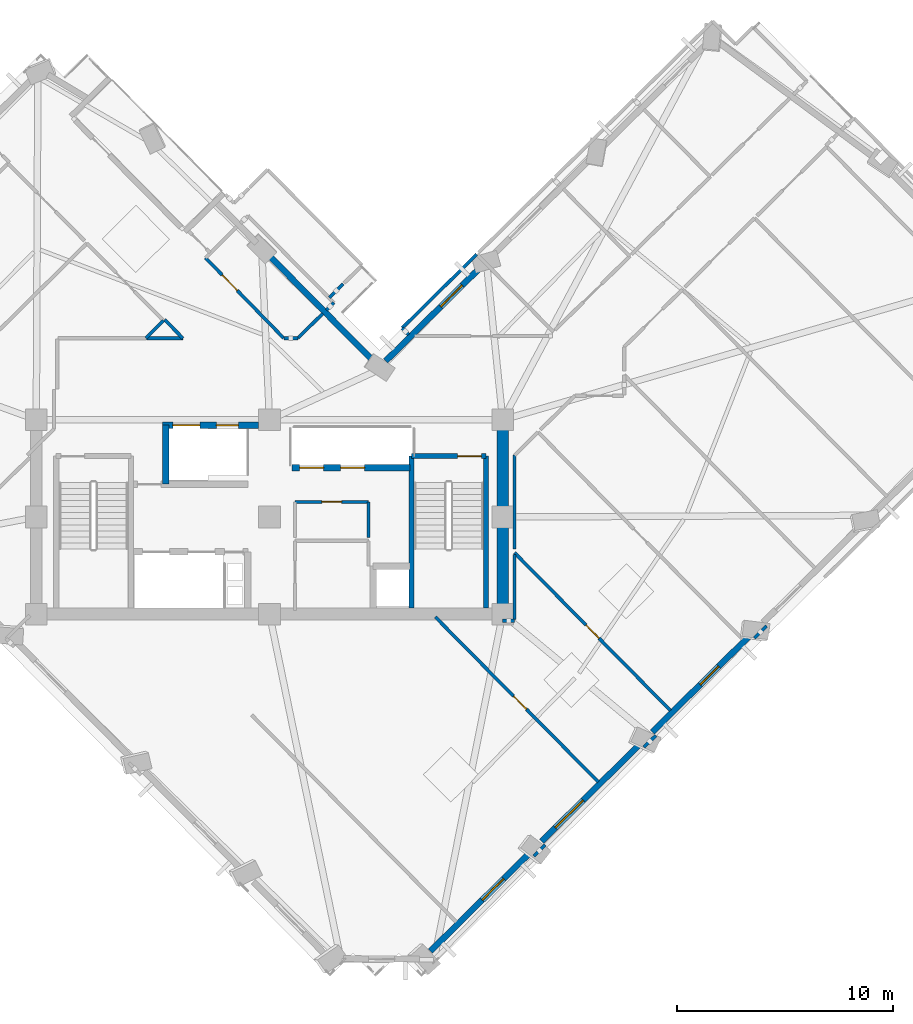
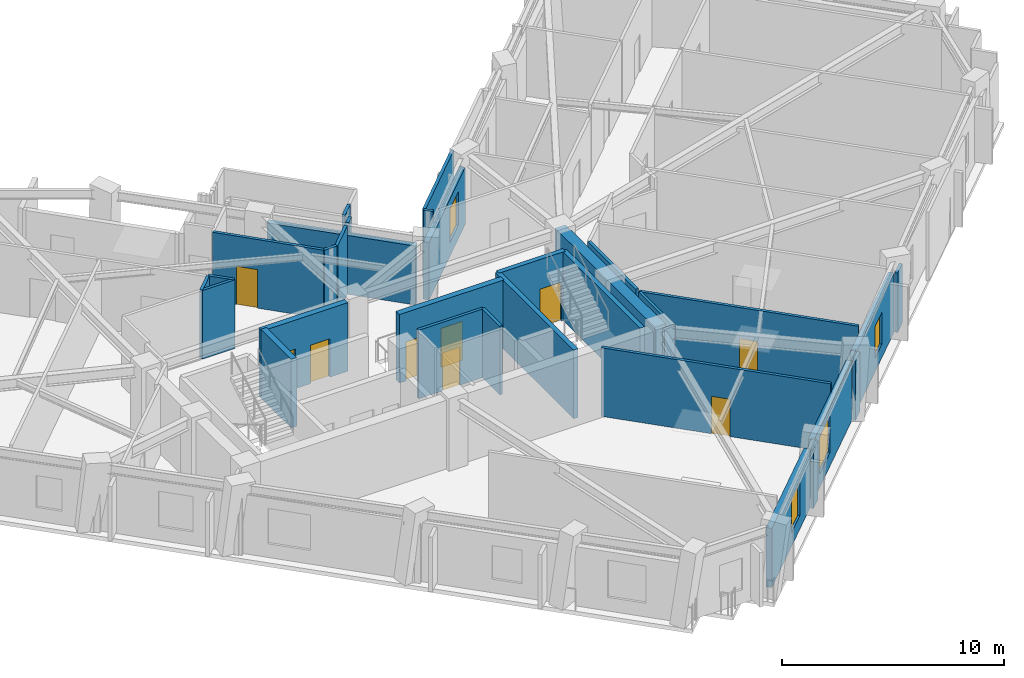
# One storey, part 5 of 11: 32 walls, 9 doors, 4 windows, 13 openings.
"""IFC4 building model written with IfcOpenShell, lengths in metres."""

import ifcopenshell
import ifcopenshell.guid

model = None  # the IFC model being written
_history = None  # IfcOwnerHistory: only IFC2X3 demands one
_inside = {}  # id of a spatial element -> (the spatial element, [elements in it])
_under = {}  # id of a project, library or spatial element -> (it, [spatial elements below it])
_declared = {}  # id of a project -> (the project, [libraries it declares])
_typed = {}  # id of a type object -> (the type object, [elements of that type])
_made_of = {}  # id of a material, layer set ... -> (it, [elements and type objects made of it])


def new_model(schema):
    """Start an empty IFC model of exactly this schema.

    Asked for "IFC4X3", IfcOpenShell would pick the latest addendum, in which some entities
    have other attributes; the version numbers below select the first issue.
    IFC2X3 requires an IfcOwnerHistory on every rooted entity: one is made here for all.
    """
    global model, _history
    if schema == "IFC4X3":
        model = ifcopenshell.file(schema_version=(4, 3, 0, 0))
    else:
        model = ifcopenshell.file(schema=schema)
    _inside.clear()
    _under.clear()
    _declared.clear()
    _typed.clear()
    _made_of.clear()
    _history = None
    if model.schema == "IFC2X3":
        org = make("IfcOrganization", Name="unknown")
        user = make(
            "IfcPersonAndOrganization",
            ThePerson=make("IfcPerson", FamilyName="unknown"),
            TheOrganization=org,
        )
        app = make(
            "IfcApplication",
            ApplicationDeveloper=org,
            Version="unknown",
            ApplicationFullName="unknown",
            ApplicationIdentifier="unknown",
        )
        _history = make(
            "IfcOwnerHistory",
            OwningUser=user,
            OwningApplication=app,
            ChangeAction="ADDED",
            CreationDate=0,
        )
    return model


def make(cls, **values):
    """One entity of the class cls with the attributes given. An attribute that is None is left unset."""
    return model.create_entity(
        cls, **{name: value for name, value in values.items() if value is not None}
    )


def rooted(cls, **values):
    """An entity with a GlobalId (a new one), such as an element, a storey or a relation."""
    return make(cls, GlobalId=ifcopenshell.guid.new(), OwnerHistory=_history, **values)


def si_unit(unit_type, name, prefix=None):
    """IfcSIUnit, for example si_unit("LENGTHUNIT", "METRE", prefix="MILLI")."""
    return make("IfcSIUnit", UnitType=unit_type, Prefix=prefix, Name=name)


def assignment(units):
    """IfcUnitAssignment: the units of a project."""
    return None if units is None else make("IfcUnitAssignment", Units=units)


def point(xyz):
    """IfcCartesianPoint."""
    return None if xyz is None else make("IfcCartesianPoint", Coordinates=xyz)


def direction(xyz):
    """IfcDirection."""
    return None if xyz is None else make("IfcDirection", DirectionRatios=xyz)


def frame(location, z_axis=None, x_axis=None):
    """IfcAxis2Placement3D, a coordinate frame: its origin and axes. An axis left out is left unset."""
    return make(
        "IfcAxis2Placement3D",
        Location=point(location),
        Axis=direction(z_axis),
        RefDirection=direction(x_axis),
    )


def frame_2d(location, x_axis=None):
    """IfcAxis2Placement2D, a coordinate frame in the plane: its origin and x axis."""
    return make(
        "IfcAxis2Placement2D", Location=point(location), RefDirection=direction(x_axis)
    )


def origin():
    """The frame at (0, 0, 0) with its axes left unset."""
    return frame((0.0, 0.0, 0.0))


def place(relative_to, where):
    """IfcLocalPlacement: puts the frame where relative to a parent placement (None: the world)."""
    return make(
        "IfcLocalPlacement", PlacementRelTo=relative_to, RelativePlacement=where
    )


def context(
    kind, dimensions, precision=None, world=None, true_north=None, identifier=None
):
    """IfcGeometricRepresentationContext, for example the 3D "Model" context."""
    return make(
        "IfcGeometricRepresentationContext",
        ContextIdentifier=identifier,
        ContextType=kind,
        CoordinateSpaceDimension=dimensions,
        Precision=precision,
        WorldCoordinateSystem=world,
        TrueNorth=true_north,
    )


def subcontext(parent, identifier, kind, view, scale=None):
    """IfcGeometricRepresentationSubContext, for example "Body" below "Model"."""
    return make(
        "IfcGeometricRepresentationSubContext",
        ContextIdentifier=identifier,
        ContextType=kind,
        ParentContext=parent,
        TargetScale=scale,
        TargetView=view,
    )


def project(units=None, contexts=None):
    """IfcProject with its units and contexts."""
    return rooted(
        "IfcProject",
        Name="project",
        RepresentationContexts=contexts,
        UnitsInContext=assignment(units),
    )


def spatial(cls, under=None, at=None, **own):
    """A site, building, storey or space (cls), placed at a placement, below another one or the project."""
    s = rooted(cls, ObjectPlacement=at, **own)
    if under is not None:
        _under.setdefault(under.id(), (under, []))[1].append(s)
    return s


def profile(cls, at=None, kind="AREA", **sizes):
    """A parametric profile (cls). Its sizes go by their IFC names, for example OverallWidth=200.0."""
    return make(cls, ProfileType=kind, Position=at, **sizes)


def rectangle(**sizes):
    """IfcRectangleProfileDef."""
    return profile("IfcRectangleProfileDef", **sizes)


def extrude(swept, where, along, depth):
    """IfcExtrudedAreaSolid: the profile swept, set in the frame where, extruded along a direction by depth."""
    return make(
        "IfcExtrudedAreaSolid",
        SweptArea=swept,
        Position=where,
        ExtrudedDirection=direction(along),
        Depth=depth,
    )


def shape(context_of_items, identifier, shape_type, items):
    """IfcShapeRepresentation: the items that make up one representation, for example the "Body"."""
    return make(
        "IfcShapeRepresentation",
        ContextOfItems=context_of_items,
        RepresentationIdentifier=identifier,
        RepresentationType=shape_type,
        Items=items,
    )


def material(Name=None, Category=None):
    """IfcMaterial."""
    return make("IfcMaterial", Name=Name, Category=Category)


def layer(
    of_material, thickness, ventilated=None, Name=None, Category=None, Priority=None
):
    """IfcMaterialLayer: one layer of a wall or slab, of a material (None: an air gap)."""
    return make(
        "IfcMaterialLayer",
        Material=of_material,
        LayerThickness=thickness,
        IsVentilated=ventilated,
        Name=Name,
        Category=Category,
        Priority=Priority,
    )


def layer_set(layers, Name=None):
    """IfcMaterialLayerSet."""
    return make("IfcMaterialLayerSet", MaterialLayers=layers, LayerSetName=Name)


def made_of(thing, what):
    """Note that an element or type object is made of a material, layer set ...; save() writes the relation."""
    if what is not None:
        _made_of.setdefault(what.id(), (what, []))[1].append(thing)
    return thing


def type_object(cls, material=None, **own):
    """A type object (cls), such as IfcWallType, which elements share."""
    return made_of(rooted(cls, **own), material)


def element(
    cls,
    number,
    at=None,
    inside=None,
    cuts=None,
    type_object=None,
    material=None,
    context=None,
    identifier="Body",
    shape_type=None,
    held_by="IfcProductDefinitionShape",
    body=None,
    shapes=None,
    **own,
):
    """One element of the class cls, such as IfcWall. Its Tag is "e" and its number.

    at: its placement. inside: the storey or other place that contains it. cuts: it is an
    opening in that element (IfcRelVoidsElement). A single representation is given by context,
    identifier, shape_type and body (its items); several are given by shapes. held_by: the class
    of the entity that holds the representations. save() writes the other relations.
    """
    e = rooted(cls, Tag="e%d" % number, ObjectPlacement=at, **own)
    if body is not None:
        shapes = [shape(context, identifier, shape_type, body)]
    if shapes is not None:
        e.Representation = make(held_by, Representations=shapes)
    if inside is not None:
        _inside.setdefault(inside.id(), (inside, []))[1].append(e)
    if cuts is not None:
        rooted(
            "IfcRelVoidsElement", RelatingBuildingElement=cuts, RelatedOpeningElement=e
        )
    if type_object is not None:
        _typed.setdefault(type_object.id(), (type_object, []))[1].append(e)
    return made_of(e, material)


def fill(opening, filler):
    """IfcRelFillsElement: the door or window that sits in an opening."""
    return rooted(
        "IfcRelFillsElement",
        RelatingOpeningElement=opening,
        RelatedBuildingElement=filler,
    )


def aggregate(whole, parts):
    """IfcRelAggregates: a whole, such as a stair, and the parts it consists of."""
    return rooted("IfcRelAggregates", RelatingObject=whole, RelatedObjects=parts)


def save(model, path):
    """Write the relations noted so far, then the file.

    IfcRelAggregates (storeys below a building ...), IfcRelContainedInSpatialStructure (elements
    in a storey), IfcRelDefinesByType, IfcRelAssociatesMaterial and IfcRelDeclares: one each for
    every whole, place, type object, material and project.
    """
    for whole, parts in _under.values():
        aggregate(whole, parts)
    for where, things in _inside.values():
        rooted(
            "IfcRelContainedInSpatialStructure",
            RelatedElements=things,
            RelatingStructure=where,
        )
    for kind, things in _typed.values():
        rooted("IfcRelDefinesByType", RelatedObjects=things, RelatingType=kind)
    for what, things in _made_of.values():
        rooted("IfcRelAssociatesMaterial", RelatedObjects=things, RelatingMaterial=what)
    for by, libraries in _declared.values():
        rooted("IfcRelDeclares", RelatingContext=by, RelatedDefinitions=libraries)
    model.write(path)


model = new_model("IFC4")

# Units and contexts
model_context = context("Model", 3, precision=1e-05, world=origin(), true_north=direction((0.0, 1.0)))
body_context = subcontext(model_context, "Body", "Model", "MODEL_VIEW")
ifc_project = project(units=[si_unit("LENGTHUNIT", "METRE"), si_unit("AREAUNIT", "SQUARE_METRE"), si_unit("VOLUMEUNIT", "CUBIC_METRE"), si_unit("PLANEANGLEUNIT", "RADIAN"), si_unit("MASSUNIT", "GRAM", prefix="KILO")], contexts=[model_context])

# Site, building, storey
site_placement = place(None, origin())
site = spatial("IfcSite", under=ifc_project, at=site_placement, CompositionType="ELEMENT")
building_placement = place(site_placement, origin())
building = spatial("IfcBuilding", under=site, at=building_placement, Name="Gaonmaruhae Medical Tower", CompositionType="ELEMENT")
storey_placement = place(building_placement, frame((0.0, 0.0, 215.199951171875)))
storey = spatial("IfcBuildingStorey", under=building, at=storey_placement, Name="L51", CompositionType="ELEMENT", Elevation=215.199951171875)

# Wall
ifc_material_1 = material(Name="Concrete C50/60", Category="concrete")
ifc_layer_1 = layer(ifc_material_1, 0.550048828125)
ifc_layer_set_1 = layer_set([ifc_layer_1], Name="Concrete C50/60")
wall_type_1 = type_object("IfcWallType", Name="CW-550 Mid-High Core Shear Wall", PredefinedType="SHEAR", material=ifc_layer_set_1)
wall_1_placement = place(storey_placement, frame((35.60009765625, 7.800048828125, 0.0), z_axis=(0.0, 0.0, 1.0), x_axis=(0.0, 1.0, 0.0)))
element("IfcWall", 1, at=wall_1_placement, inside=storey, type_object=wall_type_1, Name="L51 Core Shear Wall CSW-E1", PredefinedType="SHEAR", context=body_context, shape_type="SweptSolid", body=[
    extrude(rectangle(XDim=9.0, YDim=0.550048828125, at=frame_2d((4.5, 0.0))), origin(), (0.0, 0.0, 1.0), 3.780029296875),
])

# Wall, opening, window
ifc_material_2 = material(Name="Precast concrete C45/55", Category="concrete")
ifc_layer_2 = layer(ifc_material_2, 0.280029296875)
ifc_layer_set_2 = layer_set([ifc_layer_2], Name="Precast concrete C45/55")
wall_type_2 = type_object("IfcWallType", Name="EW-280 Upper Precast Masonry-Frame Facade Wall", PredefinedType="SOLIDWALL", material=ifc_layer_set_2)
wall_2_placement = place(storey_placement, frame((36.8681640625, -3.247314453125, 0.0), z_axis=(0.0, 0.0, 1.0), x_axis=(-0.711404384369, -0.702782898127, 0.0)))
wall_2 = element("IfcWall", 2, at=wall_2_placement, inside=storey, type_object=wall_type_2, Name="L51 Precast Masonry-Frame Wall S01-S02", PredefinedType="SOLIDWALL", context=body_context, shape_type="SweptSolid", body=[
    extrude(rectangle(XDim=6.48486328125, YDim=0.280029296875, at=frame_2d((3.242431640625, 0.0))), origin(), (0.0, 0.0, 1.0), 3.26513671875),
])
opening_1_placement = place(wall_2_placement, frame((1.718994140625, 0.0, 0.75)))
opening_1 = element("IfcOpeningElement", 3, at=opening_1_placement, cuts=wall_2, Name="Opening WN-03", PredefinedType="OPENING", context=body_context, shape_type="SweptSolid", body=[
    extrude(rectangle(XDim=1.39990234375, YDim=1.85009765625, at=frame_2d((0.699951171875, 0.925048828125))), frame((0.0, 0.14990234375, 0.0), z_axis=(0.0, -1.0, 0.0), x_axis=(1.0, 0.0, 0.0)), (0.0, 0.0, 1.0), 0.300048828125),
])
ifc_material_3 = material(Name="Anodised aluminium and Low-E double glazing", Category="aluminium")
window_type_1 = type_object("IfcWindowType", Name="WN-03 Isolation Ward Punched Window 1400x1850", PartitioningType="SINGLE_PANEL", PredefinedType="WINDOW", material=ifc_material_3)
window_1_placement = place(opening_1_placement, origin())
window_1 = element("IfcWindow", 4, at=window_1_placement, inside=storey, type_object=window_type_1, Name="L51 Modular Facade Window S01", OverallHeight=1.85009765625, OverallWidth=1.39990234375, PartitioningType="SINGLE_PANEL", PredefinedType="WINDOW", context=body_context, shape_type="SweptSolid", body=[
    extrude(rectangle(XDim=1.39990234375, YDim=1.85009765625, at=frame_2d((0.699951171875, 0.925048828125))), frame((0.0, 0.030029296875, 0.0), z_axis=(0.0, -1.0, 0.0), x_axis=(1.0, 0.0, 0.0)), (0.0, 0.0, 1.0), 0.06005859375),
])
fill(opening_1, window_1)

wall_3_placement = place(storey_placement, frame((41.9775390625, 1.800048828125, 0.0), z_axis=(0.0, 0.0, 1.0), x_axis=(-0.711397255374, -0.702790114506, 0.0)))
wall_3 = element("IfcWall", 5, at=wall_3_placement, inside=storey, type_object=wall_type_2, Name="L51 Precast Masonry-Frame Wall S02-S03", PredefinedType="SOLIDWALL", context=body_context, shape_type="SweptSolid", body=[
    extrude(rectangle(XDim=6.438720703125, YDim=0.280029296875, at=frame_2d((3.21923828125, 0.0))), origin(), (0.0, 0.0, 1.0), 3.26513671875),
])
opening_2_placement = place(wall_3_placement, frame((3.732666015625, 0.0, 0.75)))
opening_2 = element("IfcOpeningElement", 6, at=opening_2_placement, cuts=wall_3, Name="Opening WN-04", PredefinedType="OPENING", context=body_context, shape_type="SweptSolid", body=[
    extrude(rectangle(XDim=1.800048828125, YDim=2.050048828125, at=frame_2d((0.89990234375, 1.02490234375))), frame((0.0, 0.14990234375, 0.0), z_axis=(0.0, -1.0, 0.0), x_axis=(1.0, 0.0, 0.0)), (0.0, 0.0, 1.0), 0.300048828125),
])
window_type_2 = type_object("IfcWindowType", Name="WN-04 Clinic & Consult Punched Window 1800x2050", PartitioningType="SINGLE_PANEL", PredefinedType="WINDOW", material=ifc_material_3)
window_2_placement = place(opening_2_placement, origin())
window_2 = element("IfcWindow", 7, at=window_2_placement, inside=storey, type_object=window_type_2, Name="L51 Modular Facade Window S02", OverallHeight=2.050048828125, OverallWidth=1.800048828125, PartitioningType="SINGLE_PANEL", PredefinedType="WINDOW", context=body_context, shape_type="SweptSolid", body=[
    extrude(rectangle(XDim=1.800048828125, YDim=2.050048828125, at=frame_2d((0.89990234375, 1.02490234375))), frame((0.0, 0.030029296875, 0.0), z_axis=(0.0, -1.0, 0.0), x_axis=(1.0, 0.0, 0.0)), (0.0, 0.0, 1.0), 0.06005859375),
])
fill(opening_2, window_2)

wall_4_placement = place(storey_placement, frame((47.09375, 6.85400390625, 0.0), z_axis=(0.0, 0.0, 1.0), x_axis=(-0.711433096034, -0.702753833051, 0.0)))
wall_4 = element("IfcWall", 8, at=wall_4_placement, inside=storey, type_object=wall_type_2, Name="L51 Precast Masonry-Frame Wall S03-S04", PredefinedType="SOLIDWALL", context=body_context, shape_type="SweptSolid", body=[
    extrude(rectangle(XDim=6.41357421875, YDim=0.280029296875, at=frame_2d((3.206787109375, 0.0))), origin(), (0.0, 0.0, 1.0), 3.26513671875),
])
opening_3_placement = place(wall_4_placement, frame((2.0927734375, 0.0, 0.75)))
opening_3 = element("IfcOpeningElement", 9, at=opening_3_placement, cuts=wall_4, Name="Opening WN-05", PredefinedType="OPENING", context=body_context, shape_type="SweptSolid", body=[
    extrude(rectangle(XDim=1.199951171875, YDim=1.75, at=frame_2d((0.60009765625, 0.875))), frame((0.0, 0.14990234375, 0.0), z_axis=(0.0, -1.0, 0.0), x_axis=(1.0, 0.0, 0.0)), (0.0, 0.0, 1.0), 0.300048828125),
])
window_type_3 = type_object("IfcWindowType", Name="WN-05 Support & Staff Punched Window 1200x1750", PartitioningType="SINGLE_PANEL", PredefinedType="WINDOW", material=ifc_material_3)
window_3_placement = place(opening_3_placement, origin())
window_3 = element("IfcWindow", 10, at=window_3_placement, inside=storey, type_object=window_type_3, Name="L51 Modular Facade Window S03", OverallHeight=1.75, OverallWidth=1.199951171875, PartitioningType="SINGLE_PANEL", PredefinedType="WINDOW", context=body_context, shape_type="SweptSolid", body=[
    extrude(rectangle(XDim=1.199951171875, YDim=1.75, at=frame_2d((0.60009765625, 0.875))), frame((0.0, 0.030029296875, 0.0), z_axis=(0.0, -1.0, 0.0), x_axis=(1.0, 0.0, 0.0)), (0.0, 0.0, 1.0), 0.06005859375),
])
fill(opening_3, window_3)

wall_5_placement = place(storey_placement, frame((30.177490234375, 19.521484375, 0.0), z_axis=(0.0, 0.0, 1.0), x_axis=(0.711415033641, 0.702772118051, 0.0)))
wall_5 = element("IfcWall", 11, at=wall_5_placement, inside=storey, type_object=wall_type_2, Name="L51 Precast Masonry-Frame Wall EN02-KN01", PredefinedType="SOLIDWALL", context=body_context, shape_type="SweptSolid", body=[
    extrude(rectangle(XDim=6.157958984375, YDim=0.280029296875, at=frame_2d((3.0791015625, 0.0))), origin(), (0.0, 0.0, 1.0), 3.1650390625),
])
opening_4_placement = place(wall_5_placement, frame((3.586669921875, 0.0, 0.75)))
opening_4 = element("IfcOpeningElement", 12, at=opening_4_placement, cuts=wall_5, Name="Opening WN-03", PredefinedType="OPENING", context=body_context, shape_type="SweptSolid", body=[
    extrude(rectangle(XDim=1.39990234375, YDim=1.85009765625, at=frame_2d((0.699951171875, 0.925048828125))), frame((0.0, 0.14990234375, 0.0), z_axis=(0.0, -1.0, 0.0), x_axis=(1.0, 0.0, 0.0)), (0.0, 0.0, 1.0), 0.300048828125),
])
window_4_placement = place(opening_4_placement, origin())
window_4 = element("IfcWindow", 13, at=window_4_placement, inside=storey, type_object=window_type_1, Name="L51 Modular Facade Window EN02", OverallHeight=1.85009765625, OverallWidth=1.39990234375, PartitioningType="SINGLE_PANEL", PredefinedType="WINDOW", context=body_context, shape_type="SweptSolid", body=[
    extrude(rectangle(XDim=1.39990234375, YDim=1.85009765625, at=frame_2d((0.699951171875, 0.925048828125))), frame((0.0, 0.030029296875, 0.0), z_axis=(0.0, -1.0, 0.0), x_axis=(1.0, 0.0, 0.0)), (0.0, 0.0, 1.0), 0.06005859375),
])
fill(opening_4, window_4)

# Wall
wall_6_placement = place(storey_placement, frame((24.7578125, 24.4306640625, 0.0), z_axis=(0.0, 0.0, 1.0), x_axis=(0.702777784816, -0.711409435676, 0.0)))
element("IfcWall", 14, at=wall_6_placement, inside=storey, type_object=wall_type_2, Name="L51 Precast Masonry-Frame Wall KN01-NE01", PredefinedType="SOLIDWALL", context=body_context, shape_type="SweptSolid", body=[
    extrude(rectangle(XDim=6.9580078125, YDim=0.280029296875, at=frame_2d((3.47900390625, 0.0))), origin(), (0.0, 0.0, 1.0), 3.2451171875),
])

# Wall, opening, door
ifc_material_4 = material(Name="Gypsum board partition", Category="gypsum")
ifc_layer_3 = layer(ifc_material_4, 0.14990234375)
ifc_layer_set_3 = layer_set([ifc_layer_3], Name="Gypsum board partition")
wall_type_3 = type_object("IfcWallType", Name="PW-150 Rated Clinical Corridor Partition", PredefinedType="PARTITIONING", material=ifc_layer_set_3)
wall_7_placement = place(storey_placement, frame((25.97998046875, 13.0, 0.0), z_axis=(0.0, 0.0, 1.0), x_axis=(1.0, 0.0, 0.0)))
wall_7 = element("IfcWall", 15, at=wall_7_placement, inside=storey, type_object=wall_type_3, Name="L51 Interior Partition L51-CS1-5", PredefinedType="PARTITIONING", context=body_context, shape_type="SweptSolid", body=[
    extrude(rectangle(XDim=3.39990234375, YDim=0.14990234375, at=frame_2d((1.699951171875, 0.0))), origin(), (0.0, 0.0, 1.0), 3.780029296875),
])
opening_5_placement = place(wall_7_placement, frame((1.239990234375, 0.0, 0.0)))
opening_5 = element("IfcOpeningElement", 16, at=opening_5_placement, cuts=wall_7, Name="Opening UD-01", PredefinedType="OPENING", context=body_context, shape_type="SweptSolid", body=[
    extrude(rectangle(XDim=0.919921875, YDim=2.10009765625, at=frame_2d((0.4599609375, 1.050048828125))), frame((0.0, 0.0849609375, 0.0), z_axis=(0.0, -1.0, 0.0), x_axis=(1.0, 0.0, 0.0)), (0.0, 0.0, 1.0), 0.169921875),
])
ifc_material_5 = material(Name="Powder-coated steel utility door", Category="steel")
door_type_1 = type_object("IfcDoorType", Name="UD-01 Toilet, Utility & Housekeeping Door 920x2100", OperationType="NOTDEFINED", PredefinedType="DOOR", material=ifc_material_5)
door_1_placement = place(opening_5_placement, origin())
door_1 = element("IfcDoor", 17, at=door_1_placement, inside=storey, type_object=door_type_1, Name="L51 Accessible Staff Toilet Door", OperationType="SINGLE_SWING_LEFT", OverallHeight=2.10009765625, OverallWidth=0.919921875, PredefinedType="DOOR", context=body_context, shape_type="SweptSolid", body=[
    extrude(rectangle(XDim=0.919921875, YDim=2.10009765625, at=frame_2d((0.4599609375, 1.050048828125))), frame((0.0, 0.02490234375, 0.0), z_axis=(0.0, -1.0, 0.0), x_axis=(1.0, 0.0, 0.0)), (0.0, 0.0, 1.0), 0.050048828125),
])
fill(opening_5, door_1)

# Walls
wall_8_placement = place(storey_placement, frame((29.3798828125, 13.0, 0.0), z_axis=(0.0, 0.0, 1.0), x_axis=(0.0, -1.0, 0.0)))
element("IfcWall", 18, at=wall_8_placement, inside=storey, type_object=wall_type_3, Name="L51 Interior Partition L51-CS1-6", PredefinedType="PARTITIONING", context=body_context, shape_type="SweptSolid", body=[
    extrude(rectangle(XDim=1.639892578125, YDim=0.14990234375, at=frame_2d((0.81982421875, 0.0))), origin(), (0.0, 0.0, 1.0), 3.780029296875),
])
wall_9_placement = place(storey_placement, frame((37.55908203125, -2.888916015625, 0.0), z_axis=(0.0, 0.0, 1.0), x_axis=(-0.711760834556, -0.702421892022, 0.0)))
element("IfcWall", 19, at=wall_9_placement, inside=storey, type_object=wall_type_3, Name="L51 Interior Partition L51-SUP03-10", PredefinedType="PARTITIONING", context=body_context, shape_type="SweptSolid", body=[
    extrude(rectangle(XDim=0.73193359375, YDim=0.14990234375, at=frame_2d((0.365966796875, 0.0))), origin(), (0.0, 0.0, 1.0), 3.26513671875),
])

# Wall, opening, door
wall_10_placement = place(storey_placement, frame((32.47509765625, 7.675048828125, 0.0), z_axis=(0.0, 0.0, 1.0), x_axis=(0.702752952964, -0.711433965383, 0.0)))
wall_10 = element("IfcWall", 20, at=wall_10_placement, inside=storey, type_object=wall_type_3, Name="L51 Interior Partition L51-SUP03-12", PredefinedType="PARTITIONING", context=body_context, shape_type="SweptSolid", body=[
    extrude(rectangle(XDim=10.7431640625, YDim=0.14990234375, at=frame_2d((5.37158203125, 0.0))), origin(), (0.0, 0.0, 1.0), 3.780029296875),
])
opening_6_placement = place(wall_10_placement, frame((5.160400390625, 0.0, 0.0)))
opening_6 = element("IfcOpeningElement", 21, at=opening_6_placement, cuts=wall_10, Name="Opening AD-01", PredefinedType="OPENING", context=body_context, shape_type="SweptSolid", body=[
    extrude(rectangle(XDim=0.860107421875, YDim=2.06005859375, at=frame_2d((0.43017578125, 1.030029296875))), frame((0.0, 0.0849609375, 0.0), z_axis=(0.0, -1.0, 0.0), x_axis=(1.0, 0.0, 0.0)), (0.0, 0.0, 1.0), 0.169921875),
])
ifc_material_6 = material(Name="Powder-coated steel access door", Category="steel")
door_type_2 = type_object("IfcDoorType", Name="AD-01 Riser & Closet Access Fire Door 860x2060", OperationType="NOTDEFINED", PredefinedType="DOOR", material=ifc_material_6)
door_2_placement = place(opening_6_placement, origin())
door_2 = element("IfcDoor", 22, at=door_2_placement, inside=storey, type_object=door_type_2, Name="L51 Clinical Biomedical Charting Office Sliding Door", OperationType="SLIDING_TO_LEFT", OverallHeight=2.06005859375, OverallWidth=0.860107421875, PredefinedType="DOOR", context=body_context, shape_type="SweptSolid", body=[
    extrude(rectangle(XDim=0.860107421875, YDim=2.06005859375, at=frame_2d((0.43017578125, 1.030029296875))), frame((0.0, 0.02490234375, 0.0), z_axis=(0.0, -1.0, 0.0), x_axis=(1.0, 0.0, 0.0)), (0.0, 0.0, 1.0), 0.050048828125),
])
fill(opening_6, door_2)

wall_11_placement = place(storey_placement, frame((36.14990234375, 10.64306640625, 0.0), z_axis=(0.0, 0.0, 1.0), x_axis=(0.702755477797, -0.71143147135, 0.0)))
wall_11 = element("IfcWall", 23, at=wall_11_placement, inside=storey, type_object=wall_type_3, Name="L51 Interior Partition L51-SUP04-13", PredefinedType="PARTITIONING", context=body_context, shape_type="SweptSolid", body=[
    extrude(rectangle(XDim=10.27099609375, YDim=0.14990234375, at=frame_2d((5.135498046875, 0.0))), origin(), (0.0, 0.0, 1.0), 3.780029296875),
])
opening_7_placement = place(wall_11_placement, frame((4.70556640625, 0.0, 0.0)))
opening_7 = element("IfcOpeningElement", 24, at=opening_7_placement, cuts=wall_11, Name="Opening AD-01", PredefinedType="OPENING", context=body_context, shape_type="SweptSolid", body=[
    extrude(rectangle(XDim=0.860107421875, YDim=2.06005859375, at=frame_2d((0.43017578125, 1.030029296875))), frame((0.0, 0.0849609375, 0.0), z_axis=(0.0, -1.0, 0.0), x_axis=(1.0, 0.0, 0.0)), (0.0, 0.0, 1.0), 0.169921875),
])
door_3_placement = place(opening_7_placement, origin())
door_3 = element("IfcDoor", 25, at=door_3_placement, inside=storey, type_object=door_type_2, Name="L51 Clinical Biomedical Charting Office Sliding Door", OperationType="SLIDING_TO_LEFT", OverallHeight=2.06005859375, OverallWidth=0.860107421875, PredefinedType="DOOR", context=body_context, shape_type="SweptSolid", body=[
    extrude(rectangle(XDim=0.860107421875, YDim=2.06005859375, at=frame_2d((0.43017578125, 1.030029296875))), frame((0.0, 0.02490234375, 0.0), z_axis=(0.0, -1.0, 0.0), x_axis=(1.0, 0.0, 0.0)), (0.0, 0.0, 1.0), 0.050048828125),
])
fill(opening_7, door_3)

# Walls
wall_12_placement = place(storey_placement, frame((42.693115234375, 2.18310546875, 0.0), z_axis=(0.0, 0.0, 1.0), x_axis=(-0.711637874268, -0.702546465301, 0.0)))
element("IfcWall", 26, at=wall_12_placement, inside=storey, type_object=wall_type_3, Name="L51 Interior Partition L51-SUP04-14", PredefinedType="PARTITIONING", context=body_context, shape_type="SweptSolid", body=[
    extrude(rectangle(XDim=0.77880859375, YDim=0.14990234375, at=frame_2d((0.389404296875, 0.0))), origin(), (0.0, 0.0, 1.0), 3.26513671875),
])
wall_13_placement = place(storey_placement, frame((35.60009765625, 7.5, 0.0), z_axis=(0.0, 0.0, 1.0), x_axis=(1.0, 0.0, 0.0)))
element("IfcWall", 27, at=wall_13_placement, inside=storey, type_object=wall_type_3, Name="L51 Interior Partition L51-SUP04-15", PredefinedType="PARTITIONING", context=body_context, shape_type="SweptSolid", body=[
    extrude(rectangle(XDim=0.5498046875, YDim=0.14990234375, at=frame_2d((0.27490234375, 0.0))), origin(), (0.0, 0.0, 1.0), 3.780029296875),
])
wall_14_placement = place(storey_placement, frame((36.14990234375, 7.550048828125, 0.0), z_axis=(0.0, 0.0, 1.0), x_axis=(0.0, 1.0, 0.0)))
element("IfcWall", 28, at=wall_14_placement, inside=storey, type_object=wall_type_3, Name="L51 Interior Partition L51-SUP04-16", PredefinedType="PARTITIONING", context=body_context, shape_type="SweptSolid", body=[
    extrude(rectangle(XDim=3.02197265625, YDim=0.14990234375, at=frame_2d((1.510986328125, 0.0))), origin(), (0.0, 0.0, 1.0), 3.780029296875),
])
wall_15_placement = place(storey_placement, frame((36.14990234375, 10.821044921875, 0.0), z_axis=(0.0, 0.0, 1.0), x_axis=(0.0, 1.0, 0.0)))
element("IfcWall", 29, at=wall_15_placement, inside=storey, type_object=wall_type_3, Name="L51 Interior Partition L51-SUP05-18", PredefinedType="PARTITIONING", context=body_context, shape_type="SweptSolid", body=[
    extrude(rectangle(XDim=4.3388671875, YDim=0.14990234375, at=frame_2d((2.16943359375, 0.0))), origin(), (0.0, 0.0, 1.0), 3.780029296875),
])
wall_16_placement = place(storey_placement, frame((47.820068359375, 7.2490234375, 0.0), z_axis=(0.0, 0.0, 1.0), x_axis=(-0.711549525488, -0.702635946119, 0.0)))
element("IfcWall", 30, at=wall_16_placement, inside=storey, type_object=wall_type_3, Name="L51 Interior Partition L51-SUP06-22", PredefinedType="PARTITIONING", context=body_context, shape_type="SweptSolid", body=[
    extrude(rectangle(XDim=0.794189453125, YDim=0.14990234375, at=frame_2d((0.39697265625, 0.0))), origin(), (0.0, 0.0, 1.0), 3.26513671875),
])
wall_17_placement = place(storey_placement, frame((19.888916015625, 21.39111328125, 0.0), z_axis=(0.0, 0.0, 1.0), x_axis=(-0.710907212679, -0.703285813138, 0.0)))
element("IfcWall", 31, at=wall_17_placement, inside=storey, type_object=wall_type_3, Name="L51 Interior Partition L51-WOF13-49", PredefinedType="PARTITIONING", context=body_context, shape_type="SweptSolid", body=[
    extrude(rectangle(XDim=1.1533203125, YDim=0.14990234375, at=frame_2d((0.57666015625, 0.0))), origin(), (0.0, 0.0, 1.0), 3.780029296875),
])
wall_18_placement = place(storey_placement, frame((30.944091796875, 21.052001953125, 0.0), z_axis=(0.0, 0.0, 1.0), x_axis=(0.711390715855, 0.702796734053, 0.0)))
element("IfcWall", 32, at=wall_18_placement, inside=storey, type_object=wall_type_3, Name="L51 Interior Partition L51-IE02-57", PredefinedType="PARTITIONING", context=body_context, shape_type="SweptSolid", body=[
    extrude(rectangle(XDim=4.85791015625, YDim=0.14990234375, at=frame_2d((2.428955078125, 0.0))), origin(), (0.0, 0.0, 1.0), 3.780029296875),
])
wall_19_placement = place(storey_placement, frame((31.25, 20.741943359375, 0.0), z_axis=(0.0, 0.0, 1.0), x_axis=(-0.702326345506, 0.711855114759, 0.0)))
element("IfcWall", 33, at=wall_19_placement, inside=storey, type_object=wall_type_3, Name="L51 Interior Partition L51-IE02-60", PredefinedType="PARTITIONING", context=body_context, shape_type="SweptSolid", body=[
    extrude(rectangle(XDim=0.435546875, YDim=0.14990234375, at=frame_2d((0.2177734375, 0.0))), origin(), (0.0, 0.0, 1.0), 3.780029296875),
])
wall_20_placement = place(storey_placement, frame((27.779052734375, 22.22607421875, 0.0), z_axis=(0.0, 0.0, 1.0), x_axis=(-0.711121484403, -0.70306915337, 0.0)))
element("IfcWall", 34, at=wall_20_placement, inside=storey, type_object=wall_type_3, Name="L51 Interior Partition L51-IN01-78", PredefinedType="PARTITIONING", context=body_context, shape_type="SweptSolid", body=[
    extrude(rectangle(XDim=0.485107421875, YDim=0.14990234375, at=frame_2d((0.24267578125, 0.0))), origin(), (0.0, 0.0, 1.0), 3.780029296875),
])
wall_21_placement = place(storey_placement, frame((27.27001953125, 21.72412109375, 0.0), z_axis=(0.0, 0.0, 1.0), x_axis=(-0.711368370717, -0.702819351714, 0.0)))
element("IfcWall", 35, at=wall_21_placement, inside=storey, type_object=wall_type_3, Name="L51 Interior Partition L51-IN01-79", PredefinedType="PARTITIONING", context=body_context, shape_type="SweptSolid", body=[
    extrude(rectangle(XDim=1.627685546875, YDim=0.14990234375, at=frame_2d((0.81396484375, 0.0))), origin(), (0.0, 0.0, 1.0), 3.780029296875),
])
wall_22_placement = place(storey_placement, frame((26.112060546875, 20.580078125, 0.0), z_axis=(0.0, 0.0, 1.0), x_axis=(-1.0, 0.0, 0.0)))
element("IfcWall", 36, at=wall_22_placement, inside=storey, type_object=wall_type_3, Name="L51 Interior Partition L51-IN01-80", PredefinedType="PARTITIONING", context=body_context, shape_type="SweptSolid", body=[
    extrude(rectangle(XDim=0.651123046875, YDim=0.14990234375, at=frame_2d((0.32568359375, 0.0))), origin(), (0.0, 0.0, 1.0), 3.780029296875),
])

# Wall, opening, door
wall_23_placement = place(storey_placement, frame((25.4609375, 20.580078125, 0.0), z_axis=(0.0, 0.0, 1.0), x_axis=(-0.69781653345, 0.716276542715, 0.0)))
wall_23 = element("IfcWall", 37, at=wall_23_placement, inside=storey, type_object=wall_type_3, Name="L51 Interior Partition L51-IN01-81", PredefinedType="PARTITIONING", context=body_context, shape_type="SweptSolid", body=[
    extrude(rectangle(XDim=5.197509765625, YDim=0.14990234375, at=frame_2d((2.5986328125, 0.0))), origin(), (0.0, 0.0, 1.0), 3.780029296875),
])
opening_8_placement = place(wall_23_placement, frame((3.0810546875, 0.0, 0.0)))
opening_8 = element("IfcOpeningElement", 38, at=opening_8_placement, cuts=wall_23, Name="Opening CD-01", PredefinedType="OPENING", context=body_context, shape_type="SweptSolid", body=[
    extrude(rectangle(XDim=1.0, YDim=2.1201171875, at=frame_2d((0.5, 1.06005859375))), frame((0.0, 0.0849609375, 0.0), z_axis=(0.0, -1.0, 0.0), x_axis=(1.0, 0.0, 0.0)), (0.0, 0.0, 1.0), 0.169921875),
])
ifc_material_7 = material(Name="Antimicrobial laminate timber fire door", Category="wood")
door_type_3 = type_object("IfcDoorType", Name="CD-01 Consultation & Physician Office Door 1000x2120", OperationType="NOTDEFINED", PredefinedType="DOOR", material=ifc_material_7)
door_4_placement = place(opening_8_placement, origin())
door_4 = element("IfcDoor", 39, at=door_4_placement, inside=storey, type_object=door_type_3, Name="L51 Physician Consultation Office Door", OperationType="SINGLE_SWING_LEFT", OverallHeight=2.1201171875, OverallWidth=1.0, PredefinedType="DOOR", context=body_context, shape_type="SweptSolid", body=[
    extrude(rectangle(XDim=1.0, YDim=2.1201171875, at=frame_2d((0.5, 1.06005859375))), frame((0.0, 0.02490234375, 0.0), z_axis=(0.0, -1.0, 0.0), x_axis=(1.0, 0.0, 0.0)), (0.0, 0.0, 1.0), 0.050048828125),
])
fill(opening_8, door_4)

# Walls
wall_24_placement = place(storey_placement, frame((19.93896484375, 21.43994140625, 0.0), z_axis=(0.0, 0.0, 1.0), x_axis=(0.70264822924, -0.711537396028, 0.0)))
element("IfcWall", 40, at=wall_24_placement, inside=storey, type_object=wall_type_3, Name="L51 Interior Partition L51-RM02-88", PredefinedType="PARTITIONING", context=body_context, shape_type="SweptSolid", body=[
    extrude(rectangle(XDim=1.20849609375, YDim=0.14990234375, at=frame_2d((0.604248046875, 0.0))), origin(), (0.0, 0.0, 1.0), 3.780029296875),
])
wall_25_placement = place(storey_placement, frame((20.7880859375, 20.580078125, 0.0), z_axis=(0.0, 0.0, 1.0), x_axis=(-1.0, 0.0, 0.0)))
element("IfcWall", 41, at=wall_25_placement, inside=storey, type_object=wall_type_3, Name="L51 Interior Partition L51-RM02-89", PredefinedType="PARTITIONING", context=body_context, shape_type="SweptSolid", body=[
    extrude(rectangle(XDim=1.691162109375, YDim=0.14990234375, at=frame_2d((0.845703125, 0.0))), origin(), (0.0, 0.0, 1.0), 3.780029296875),
])
wall_26_placement = place(storey_placement, frame((28.215087890625, 23.093017578125, 0.0), z_axis=(0.0, 0.0, 1.0), x_axis=(-0.711570448846, -0.702614756698, 0.0)))
element("IfcWall", 42, at=wall_26_placement, inside=storey, type_object=wall_type_3, Name="L51 Interior Partition L51-RM03-96", PredefinedType="PARTITIONING", context=body_context, shape_type="SweptSolid", body=[
    extrude(rectangle(XDim=0.899658203125, YDim=0.14990234375, at=frame_2d((0.44970703125, 0.0))), origin(), (0.0, 0.0, 1.0), 3.780029296875),
])

# Wall, opening, door
ifc_layer_4 = layer(ifc_material_1, 0.239990234375)
ifc_layer_set_4 = layer_set([ifc_layer_4], Name="Concrete C50/60")
wall_type_4 = type_object("IfcWallType", Name="SW-240 Dogleg Stair Tight Shaft Wall", PredefinedType="SOLIDWALL", material=ifc_layer_set_4)
wall_27_placement = place(storey_placement, frame((31.3701171875, 15.1201171875, 0.0), z_axis=(0.0, 0.0, 1.0), x_axis=(1.0, 0.0, 0.0)))
wall_27 = element("IfcWall", 43, at=wall_27_placement, inside=storey, type_object=wall_type_4, Name="L51 ST-02 Stair Shaft Wall SHW-ST-02-N", PredefinedType="SOLIDWALL", context=body_context, shape_type="SweptSolid", body=[
    extrude(rectangle(XDim=3.4599609375, YDim=0.239990234375, at=frame_2d((1.72998046875, 0.0))), origin(), (0.0, 0.0, 1.0), 3.780029296875),
])
opening_9_placement = place(wall_27_placement, frame((2.139892578125, 0.0, 0.0)))
opening_9 = element("IfcOpeningElement", 44, at=opening_9_placement, cuts=wall_27, Name="Opening FD-01", PredefinedType="OPENING", context=body_context, shape_type="SweptSolid", body=[
    extrude(rectangle(XDim=1.10009765625, YDim=2.14990234375, at=frame_2d((0.550048828125, 1.074951171875))), frame((0.0, 0.1298828125, 0.0), z_axis=(0.0, -1.0, 0.0), x_axis=(1.0, 0.0, 0.0)), (0.0, 0.0, 1.0), 0.260009765625),
])
ifc_material_8 = material(Name="Powder-coated steel fire door", Category="steel")
door_type_4 = type_object("IfcDoorType", Name="FD-01 Escape Stair Protected Fire Door 1100x2150", OperationType="NOTDEFINED", PredefinedType="DOOR", material=ifc_material_8)
door_5_placement = place(opening_9_placement, origin())
door_5 = element("IfcDoor", 45, at=door_5_placement, inside=storey, type_object=door_type_4, Name="L51 ST-02 Protected Escape Stair Door", OperationType="SINGLE_SWING_LEFT", OverallHeight=2.14990234375, OverallWidth=1.10009765625, PredefinedType="DOOR", context=body_context, shape_type="SweptSolid", body=[
    extrude(rectangle(XDim=1.10009765625, YDim=2.14990234375, at=frame_2d((0.550048828125, 1.074951171875))), frame((0.0, 0.02490234375, 0.0), z_axis=(0.0, -1.0, 0.0), x_axis=(1.0, 0.0, 0.0)), (0.0, 0.0, 1.0), 0.050048828125),
])
fill(opening_9, door_5)

# Walls
for number, where, z_axis, x_axis, name in (
    (46, (34.830078125, 15.1201171875, 0.0), (0.0, 0.0, 1.0), (0.0, -1.0, 0.0), "L51 ST-02 Stair Shaft Wall SHW-ST-02-E"),
    (47, (31.3701171875, 8.074951171875, 0.0), (0.0, 0.0, 1.0), (0.0, 1.0, 0.0), "L51 ST-02 Stair Shaft Wall SHW-ST-02-W"),
):
    element("IfcWall", number, at=place(storey_placement, frame(where, z_axis=z_axis, x_axis=x_axis)), inside=storey, type_object=wall_type_4, Name=name, PredefinedType="SOLIDWALL", context=body_context, shape_type="SweptSolid", body=[
        extrude(rectangle(XDim=7.045166015625, YDim=0.239990234375, at=frame_2d((3.5224609375, 0.0))), origin(), (0.0, 0.0, 1.0), 3.780029296875),
    ])

# Wall, openings, doors
ifc_layer_5 = layer(ifc_material_1, 0.300048828125)
ifc_layer_set_5 = layer_set([ifc_layer_5], Name="Concrete C50/60")
wall_type_5 = type_object("IfcWallType", Name="SW-300 Stair & Lift Hoistway Shaft Wall", PredefinedType="SOLIDWALL", material=ifc_layer_set_5)
wall_28_placement = place(storey_placement, frame((19.85009765625, 16.550048828125, 0.0), z_axis=(0.0, 0.0, 1.0), x_axis=(1.0, 0.0, 0.0)))
wall_28 = element("IfcWall", 48, at=wall_28_placement, inside=storey, type_object=wall_type_5, Name="L51 Core Shear Wall CSW-NB", PredefinedType="SOLIDWALL", context=body_context, shape_type="SweptSolid", body=[
    extrude(rectangle(XDim=4.449951171875, YDim=0.300048828125, at=frame_2d((2.22509765625, 0.0))), origin(), (0.0, 0.0, 1.0), 3.780029296875),
])
opening_10_placement = place(wall_28_placement, frame((0.47509765625, 0.0, 0.0)))
opening_10 = element("IfcOpeningElement", 49, at=opening_10_placement, cuts=wall_28, Name="Opening LD-F1", PredefinedType="OPENING", context=body_context, shape_type="SweptSolid", body=[
    extrude(rectangle(XDim=1.25, YDim=2.179931640625, at=frame_2d((0.625, 1.08984375))), frame((0.0, 0.16015625, 0.0), z_axis=(0.0, -1.0, 0.0), x_axis=(1.0, 0.0, 0.0)), (0.0, 0.0, 1.0), 0.320068359375),
])
opening_11_placement = place(wall_28_placement, frame((2.489990234375, 0.0, 0.0)))
opening_11 = element("IfcOpeningElement", 50, at=opening_11_placement, cuts=wall_28, Name="Opening LD-S1", PredefinedType="OPENING", context=body_context, shape_type="SweptSolid", body=[
    extrude(rectangle(XDim=1.02001953125, YDim=2.1201171875, at=frame_2d((0.510009765625, 1.06005859375))), frame((0.0, 0.16015625, 0.0), z_axis=(0.0, -1.0, 0.0), x_axis=(1.0, 0.0, 0.0)), (0.0, 0.0, 1.0), 0.320068359375),
])
ifc_material_9 = material(Name="Brushed stainless steel 316L landing door", Category="steel")
door_type_5 = type_object("IfcDoorType", Name="LD-F1 Firefighting & Bed Lift Sliding Landing Door 1250x2180", OperationType="NOTDEFINED", PredefinedType="DOOR", material=ifc_material_9)
door_6_placement = place(opening_10_placement, origin())
door_6 = element("IfcDoor", 51, at=door_6_placement, inside=storey, type_object=door_type_5, Name="L51 Service/Bed Lift Landing Door BDL-01", OperationType="DOUBLE_DOOR_SLIDING", OverallHeight=2.179931640625, OverallWidth=1.25, PredefinedType="DOOR", context=body_context, shape_type="SweptSolid", body=[
    extrude(rectangle(XDim=1.25, YDim=2.179931640625, at=frame_2d((0.625, 1.08984375))), frame((0.0, 0.02490234375, 0.0), z_axis=(0.0, -1.0, 0.0), x_axis=(1.0, 0.0, 0.0)), (0.0, 0.0, 1.0), 0.050048828125),
])
fill(opening_10, door_6)
ifc_material_10 = material(Name="Brushed stainless steel 304 landing door", Category="steel")
door_type_6 = type_object("IfcDoorType", Name="LD-S1 Service Lift Sliding Landing Door 1020x2120", OperationType="NOTDEFINED", PredefinedType="DOOR", material=ifc_material_10)
door_7_placement = place(opening_11_placement, origin())
door_7 = element("IfcDoor", 52, at=door_7_placement, inside=storey, type_object=door_type_6, Name="L51 Service/Bed Lift Landing Door SVL-01", OperationType="SLIDING_TO_LEFT", OverallHeight=2.1201171875, OverallWidth=1.02001953125, PredefinedType="DOOR", context=body_context, shape_type="SweptSolid", body=[
    extrude(rectangle(XDim=1.02001953125, YDim=2.1201171875, at=frame_2d((0.510009765625, 1.06005859375))), frame((0.0, 0.02490234375, 0.0), z_axis=(0.0, -1.0, 0.0), x_axis=(1.0, 0.0, 0.0)), (0.0, 0.0, 1.0), 0.050048828125),
])
fill(opening_11, door_7)

# Wall
wall_29_placement = place(storey_placement, frame((20.0, 13.820068359375, 0.0), z_axis=(0.0, 0.0, 1.0), x_axis=(0.0, 1.0, 0.0)))
element("IfcWall", 53, at=wall_29_placement, inside=storey, type_object=wall_type_5, Name="L51 Shaft Enclosure Wall SHW-BDW", PredefinedType="SOLIDWALL", context=body_context, shape_type="SweptSolid", body=[
    extrude(rectangle(XDim=2.72998046875, YDim=0.300048828125, at=frame_2d((1.364990234375, 0.0))), origin(), (0.0, 0.0, 1.0), 3.780029296875),
])

# Wall, openings, doors
wall_30_placement = place(storey_placement, frame((25.85009765625, 14.580078125, 0.0), z_axis=(0.0, 0.0, 1.0), x_axis=(1.0, 0.0, 0.0)))
wall_30 = element("IfcWall", 54, at=wall_30_placement, inside=storey, type_object=wall_type_5, Name="L51 Shaft Enclosure Wall SHW-PLN", PredefinedType="SOLIDWALL", context=body_context, shape_type="SweptSolid", body=[
    extrude(rectangle(XDim=5.449951171875, YDim=0.300048828125, at=frame_2d((2.72509765625, 0.0))), origin(), (0.0, 0.0, 1.0), 3.780029296875),
])
opening_12_placement = place(wall_30_placement, frame((0.340087890625, 0.0, 0.0)))
opening_12 = element("IfcOpeningElement", 55, at=opening_12_placement, cuts=wall_30, Name="Opening LD-P1", PredefinedType="OPENING", context=body_context, shape_type="SweptSolid", body=[
    extrude(rectangle(XDim=1.1201171875, YDim=2.14990234375, at=frame_2d((0.56005859375, 1.074951171875))), frame((0.0, 0.16015625, 0.0), z_axis=(0.0, -1.0, 0.0), x_axis=(1.0, 0.0, 0.0)), (0.0, 0.0, 1.0), 0.320068359375),
])
opening_13_placement = place(wall_30_placement, frame((2.239990234375, 0.0, 0.0)))
opening_13 = element("IfcOpeningElement", 56, at=opening_13_placement, cuts=wall_30, Name="Opening LD-P1", PredefinedType="OPENING", context=body_context, shape_type="SweptSolid", body=[
    extrude(rectangle(XDim=1.1201171875, YDim=2.14990234375, at=frame_2d((0.56005859375, 1.074951171875))), frame((0.0, 0.16015625, 0.0), z_axis=(0.0, -1.0, 0.0), x_axis=(1.0, 0.0, 0.0)), (0.0, 0.0, 1.0), 0.320068359375),
])
door_type_7 = type_object("IfcDoorType", Name="LD-P1 Passenger Lift Sliding Landing Door 1120x2150", OperationType="NOTDEFINED", PredefinedType="DOOR", material=ifc_material_10)
door_8_placement = place(opening_12_placement, origin())
door_8 = element("IfcDoor", 57, at=door_8_placement, inside=storey, type_object=door_type_7, Name="L51 Passenger Lift Landing Door PL-M1", OperationType="DOUBLE_DOOR_SLIDING", OverallHeight=2.14990234375, OverallWidth=1.1201171875, PredefinedType="DOOR", context=body_context, shape_type="SweptSolid", body=[
    extrude(rectangle(XDim=1.1201171875, YDim=2.14990234375, at=frame_2d((0.56005859375, 1.074951171875))), frame((0.0, 0.02490234375, 0.0), z_axis=(0.0, -1.0, 0.0), x_axis=(1.0, 0.0, 0.0)), (0.0, 0.0, 1.0), 0.050048828125),
])
fill(opening_12, door_8)
door_9_placement = place(opening_13_placement, origin())
door_9 = element("IfcDoor", 58, at=door_9_placement, inside=storey, type_object=door_type_7, Name="L51 Passenger Lift Landing Door PL-M2", OperationType="DOUBLE_DOOR_SLIDING", OverallHeight=2.14990234375, OverallWidth=1.1201171875, PredefinedType="DOOR", context=body_context, shape_type="SweptSolid", body=[
    extrude(rectangle(XDim=1.1201171875, YDim=2.14990234375, at=frame_2d((0.56005859375, 1.074951171875))), frame((0.0, 0.02490234375, 0.0), z_axis=(0.0, -1.0, 0.0), x_axis=(1.0, 0.0, 0.0)), (0.0, 0.0, 1.0), 0.050048828125),
])
fill(opening_13, door_9)

save(model, "model.ifc")
